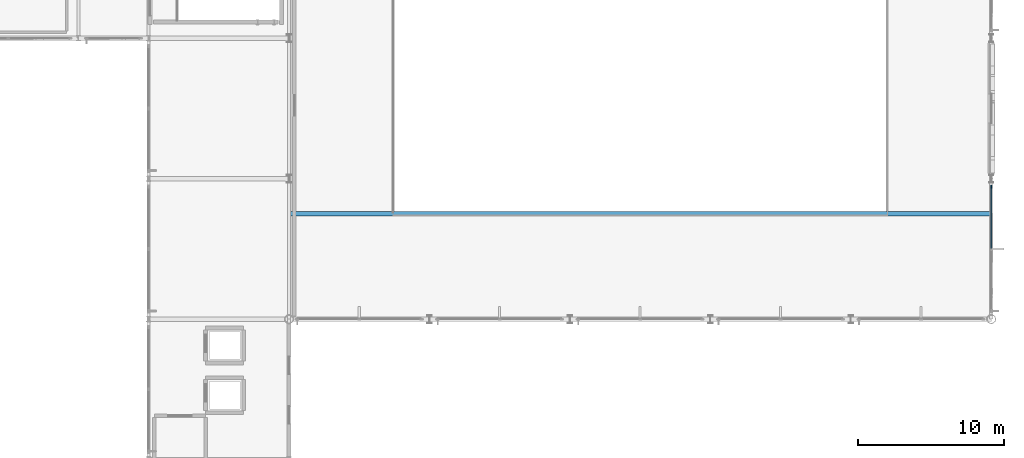
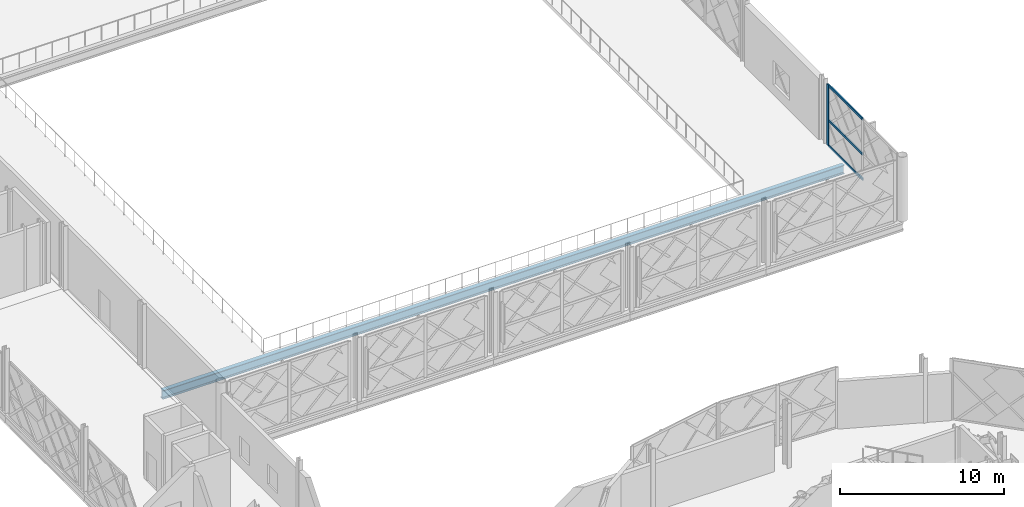
# One storey, part 36 of 77: 4 members, 1 beam, 1 element without a shape of its own.
"""IFC4 building model written with IfcOpenShell, lengths in metres."""

from ifc_helpers import new_model, si_unit, direction, frame, origin, origin_2d, place, context, subcontext, project, spatial, rectangle, i_section, extrude, material, layer, layer_set, material_profile, profile_set, type_object, element, aggregate, save


model = new_model("IFC4")

# Units and contexts
model_context = context("Model", 3, precision=1e-05, world=origin(), true_north=direction((0.0, 1.0)))
body_context = subcontext(model_context, "Body", "Model", "MODEL_VIEW")
ifc_project = project(units=[si_unit("LENGTHUNIT", "METRE"), si_unit("AREAUNIT", "SQUARE_METRE"), si_unit("VOLUMEUNIT", "CUBIC_METRE"), si_unit("PLANEANGLEUNIT", "RADIAN"), si_unit("MASSUNIT", "GRAM", prefix="KILO")], contexts=[model_context])

# Site, building, storey
site_placement = place(None, origin())
site = spatial("IfcSite", under=ifc_project, at=site_placement, CompositionType="ELEMENT")
building_placement = place(site_placement, origin())
building = spatial("IfcBuilding", under=site, at=building_placement, Name="Zevrakil Square Congress Hotel", CompositionType="ELEMENT")
storey_placement = place(building_placement, frame((0.0, 0.0, 9.89990234375)))
storey = spatial("IfcBuildingStorey", under=building, at=storey_placement, Name="L03", CompositionType="ELEMENT", Elevation=9.89990234375)

# Beam
ifc_material_1 = material(Name="Steel S355", Category="steel")
ifc_material_profile_1 = material_profile(ifc_material_1, i_section(OverallWidth=0.300048828125, OverallDepth=0.64990234375, WebThickness=0.01611328125, FlangeThickness=0.031005859375, FilletRadius=0.027099609375, at=origin_2d()), Name="HEB 650")
ifc_profile_set_1 = profile_set([ifc_material_profile_1], Name="Steel S355")
beam_type = type_object("IfcBeamType", Name="BM-HEB650", PredefinedType="BEAM", material=ifc_profile_set_1)
beam_placement = place(storey_placement, frame((117.60009765625, 72.0, -0.5849609375), z_axis=(1.0, 0.0, 0.0), x_axis=(0.0, 1.0, 0.0)))
element("IfcBeam", 1, at=beam_placement, inside=storey, type_object=beam_type, Name="L03 congress hall long-span gallery girder 1", PredefinedType="BEAM", context=body_context, shape_type="SweptSolid", body=[
    extrude(i_section(OverallWidth=0.300048828125, OverallDepth=0.64990234375, WebThickness=0.01611328125, FlangeThickness=0.031005859375, FilletRadius=0.027099609375, at=origin_2d()), origin(), (0.0, 0.0, 1.0), 48.0),
])

# Curtain wall, members
ifc_material_2 = material(Name="Aluminium Anodised Bronze", Category="aluminium")
ifc_layer = layer(ifc_material_2, 0.179931640625)
ifc_layer_set = layer_set([ifc_layer], Name="Aluminium Anodised Bronze")
curtain_wall_type = type_object("IfcCurtainWallType", Name="CW-L03-840", PredefinedType="USERDEFINED", material=ifc_layer_set)
curtain_wall_placement = place(storey_placement, origin())
curtain_wall = element("IfcCurtainWall", 2, at=curtain_wall_placement, inside=storey, type_object=curtain_wall_type, Name="L03 diamond curtain wall CW-L03-0050", ObjectType="GLAZED CURTAIN WALL", PredefinedType="USERDEFINED")
ifc_material_3 = material(Name="Aluminium Anodised Bronze", Category="aluminium")
ifc_material_profile_2 = material_profile(ifc_material_3, rectangle(XDim=0.0849609375, YDim=0.179931640625, at=origin_2d()), Name="ALU 85x180")
ifc_profile_set_2 = profile_set([ifc_material_profile_2], Name="Aluminium Anodised Bronze")
member_type_1 = type_object("IfcMemberType", Name="CWM-ALU85x180", PredefinedType="USERDEFINED", material=ifc_profile_set_2)
member_1_placement = place(storey_placement, frame((165.60009765625, 69.6298828125, 0.030029296875), z_axis=(0.0, 1.0, 0.0), x_axis=(-1.0, 0.0, 0.0)))
member_1 = element("IfcMember", 3, at=member_1_placement, type_object=member_type_1, Name="CW-35 transom 2.1", ObjectType="TRANSOM", PredefinedType="USERDEFINED", context=body_context, shape_type="SweptSolid", body=[
    extrude(rectangle(XDim=0.0849609375, YDim=0.179931640625, at=origin_2d()), origin(), (0.0, 0.0, 1.0), 4.190185546875),
])
member_2_placement = place(storey_placement, frame((165.60009765625, 69.6298828125, 1.906982421875), z_axis=(0.0, 1.0, 0.0), x_axis=(-1.0, 0.0, 0.0)))
member_2 = element("IfcMember", 4, at=member_2_placement, type_object=member_type_1, Name="CW-35 transom 2.2", ObjectType="TRANSOM", PredefinedType="USERDEFINED", context=body_context, shape_type="SweptSolid", body=[
    extrude(rectangle(XDim=0.0849609375, YDim=0.179931640625, at=origin_2d()), origin(), (0.0, 0.0, 1.0), 4.190185546875),
])
member_3_placement = place(storey_placement, frame((165.60009765625, 69.6298828125, 4.510009765625), z_axis=(0.0, 1.0, 0.0), x_axis=(-1.0, 0.0, 0.0)))
member_3 = element("IfcMember", 5, at=member_3_placement, type_object=member_type_1, Name="CW-35 transom 2.3", ObjectType="TRANSOM", PredefinedType="USERDEFINED", context=body_context, shape_type="SweptSolid", body=[
    extrude(rectangle(XDim=0.0849609375, YDim=0.179931640625, at=origin_2d()), origin(), (0.0, 0.0, 1.0), 4.190185546875),
])
ifc_material_4 = material(Name="Aluminium Anodised Bronze", Category="aluminium")
ifc_material_profile_3 = material_profile(ifc_material_4, rectangle(XDim=0.0849609375, YDim=0.219970703125, at=origin_2d()), Name="ALU 85x220")
ifc_profile_set_3 = profile_set([ifc_material_profile_3], Name="Aluminium Anodised Bronze")
member_type_2 = type_object("IfcMemberType", Name="CWM-ALU85x220", PredefinedType="MULLION", material=ifc_profile_set_3)
member_4_placement = place(storey_placement, frame((165.60009765625, 73.85009765625, 0.0), z_axis=(0.0, 0.0, 1.0), x_axis=(-1.0, 0.0, 0.0)))
member_4 = element("IfcMember", 6, at=member_4_placement, type_object=member_type_2, Name="CW-35 mullion 3", PredefinedType="MULLION", context=body_context, shape_type="SweptSolid", body=[
    extrude(rectangle(XDim=0.0849609375, YDim=0.219970703125, at=origin_2d()), origin(), (0.0, 0.0, 1.0), 4.5400390625),
])
aggregate(curtain_wall, [member_4, member_1, member_2, member_3])

save(model, "model.ifc")
